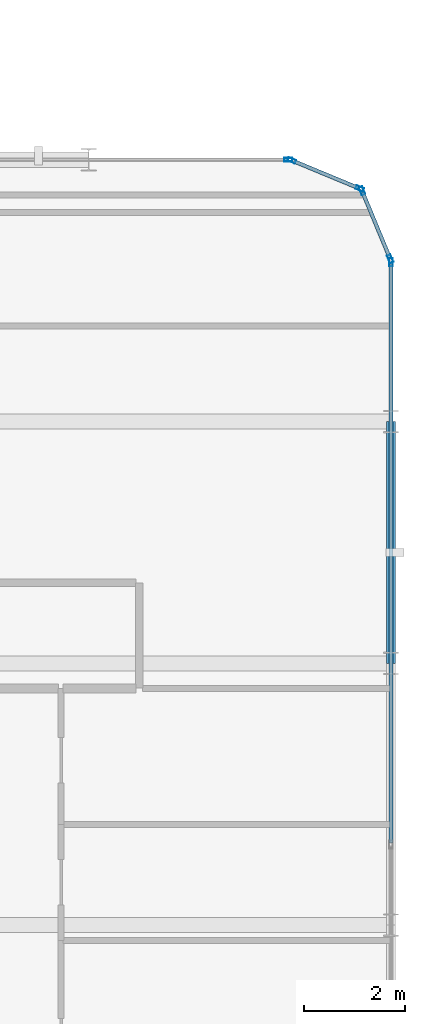
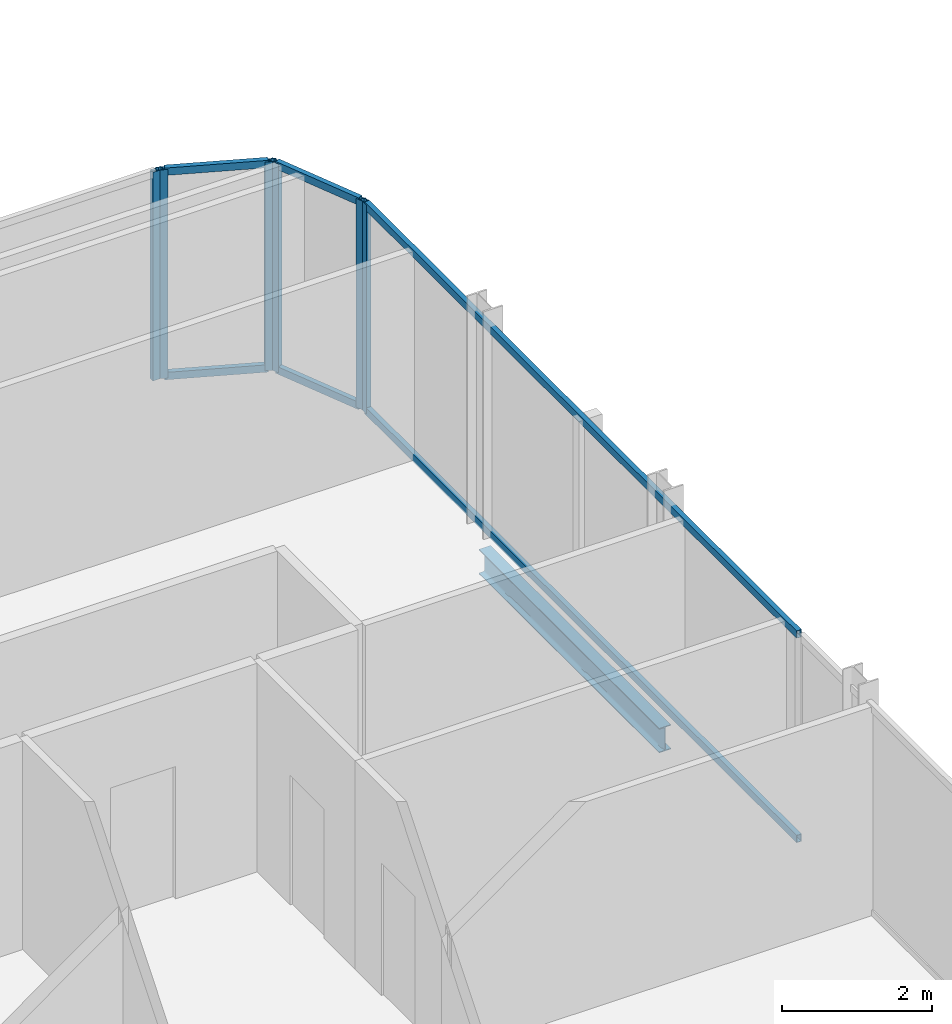
# One storey, part 15 of 29: 12 members, 1 beam, 4 elements without a shape of their own.
"""IFC4 building model written with IfcOpenShell, lengths in metres."""

from ifc_helpers import new_model, si_unit, direction, frame, origin, origin_2d, place, context, subcontext, project, spatial, hollow_rectangle, i_section, extrude, material, layer, layer_set, material_profile, profile_set, type_object, element, aggregate, save


model = new_model("IFC4")

# Units and contexts
model_context = context("Model", 3, precision=1e-05, world=origin(), true_north=direction((0.0, 1.0)))
body_context = subcontext(model_context, "Body", "Model", "MODEL_VIEW")
ifc_project = project(units=[si_unit("LENGTHUNIT", "METRE"), si_unit("AREAUNIT", "SQUARE_METRE"), si_unit("VOLUMEUNIT", "CUBIC_METRE"), si_unit("PLANEANGLEUNIT", "RADIAN"), si_unit("MASSUNIT", "GRAM", prefix="KILO")], contexts=[model_context])

# Site, building, storey
site_placement = place(None, origin())
site = spatial("IfcSite", under=ifc_project, at=site_placement, CompositionType="ELEMENT")
building_placement = place(site_placement, origin())
building = spatial("IfcBuilding", under=site, at=building_placement, Name="Keshet Zoharim Tower", CompositionType="ELEMENT")
storey_placement = place(building_placement, frame((0.0, 0.0, 226.5)))
storey = spatial("IfcBuildingStorey", under=building, at=storey_placement, Name="L56", CompositionType="ELEMENT", Elevation=226.5)

# Beam
ifc_material_1 = material(Name="Steel S355", Category="steel")
ifc_material_profile_1 = material_profile(ifc_material_1, i_section(OverallWidth=0.179931640625, OverallDepth=0.39990234375, WebThickness=0.008544921875, FlangeThickness=0.013427734375, FilletRadius=0.02099609375, at=origin_2d()), Name="IPE400")
ifc_profile_set_1 = profile_set([ifc_material_profile_1], Name="Steel S355")
beam_type = type_object("IfcBeamType", Name="BM-PRI-IP400", PredefinedType="BEAM", material=ifc_profile_set_1)
beam_placement = place(storey_placement, frame((57.0, 17.89990234375, -0.510009765625), z_axis=(0.0, 1.0, 0.0), x_axis=(-1.0, 0.0, 0.0)))
element("IfcBeam", 1, at=beam_placement, inside=storey, type_object=beam_type, Name="L56 Primary Girder Y-015", PredefinedType="BEAM", context=body_context, shape_type="SweptSolid", body=[
    extrude(i_section(OverallWidth=0.179931640625, OverallDepth=0.39990234375, WebThickness=0.008544921875, FlangeThickness=0.013427734375, FilletRadius=0.02099609375, at=origin_2d()), origin(), (0.0, 0.0, 1.0), 4.800048828125),
])

# Curtain wall, members
ifc_material_2 = material(Name="Aluminium 6063-T6", Category="aluminium")
ifc_layer = layer(ifc_material_2, 0.139892578125)
ifc_layer_set = layer_set([ifc_layer], Name="Aluminium 6063-T6")
curtain_wall_type = type_object("IfcCurtainWallType", Name="CW-SYS-05", PredefinedType="NOTDEFINED", material=ifc_layer_set)
curtain_wall_1_placement = place(storey_placement, origin())
curtain_wall_1 = element("IfcCurtainWall", 2, at=curtain_wall_1_placement, inside=storey, type_object=curtain_wall_type, Name="L56 Unitised Curtain Wall 01", PredefinedType="NOTDEFINED")
ifc_material_profile_2 = material_profile(ifc_material_2, hollow_rectangle(XDim=0.074951171875, YDim=0.159912109375, WallThickness=0.00390625, at=origin_2d()), Name="MUL-75x160")
ifc_profile_set_2 = profile_set([ifc_material_profile_2], Name="Aluminium 6063-T6")
member_type_1 = type_object("IfcMemberType", Name="CWM-M15", PredefinedType="MULLION", material=ifc_profile_set_2)
member_1_placement = place(storey_placement, frame((55.0322265625, 27.88671875, 0.0), z_axis=(0.0, 0.0, 1.0), x_axis=(0.382851849847, 0.92380975372, 0.0)))
member_1 = element("IfcMember", 3, at=member_1_placement, type_object=member_type_1, Name="CW-05 mullion 1", PredefinedType="MULLION", context=body_context, shape_type="SweptSolid", body=[
    extrude(hollow_rectangle(XDim=0.074951171875, YDim=0.159912109375, WallThickness=0.00390625, at=origin_2d()), origin(), (0.0, 0.0, 1.0), 3.389892578125),
])
member_2_placement = place(storey_placement, frame((56.381591796875, 27.327392578125, 0.0), z_axis=(0.0, 0.0, 1.0), x_axis=(0.382851849847, 0.92380975372, 0.0)))
member_2 = element("IfcMember", 4, at=member_2_placement, type_object=member_type_1, Name="CW-05 mullion 2", PredefinedType="MULLION", context=body_context, shape_type="SweptSolid", body=[
    extrude(hollow_rectangle(XDim=0.074951171875, YDim=0.159912109375, WallThickness=0.00390625, at=origin_2d()), origin(), (0.0, 0.0, 1.0), 3.389892578125),
])

curtain_wall_2_placement = place(storey_placement, origin())
curtain_wall_2 = element("IfcCurtainWall", 5, at=curtain_wall_2_placement, inside=storey, type_object=curtain_wall_type, Name="L56 Unitised Curtain Wall 02", PredefinedType="NOTDEFINED")
member_3_placement = place(storey_placement, frame((56.427490234375, 27.28173828125, 0.0), z_axis=(0.0, 0.0, 1.0), x_axis=(0.92380975372, 0.382851849847, 0.0)))
member_3 = element("IfcMember", 6, at=member_3_placement, type_object=member_type_1, Name="CW-05 mullion 1", PredefinedType="MULLION", context=body_context, shape_type="SweptSolid", body=[
    extrude(hollow_rectangle(XDim=0.074951171875, YDim=0.159912109375, WallThickness=0.00390625, at=origin_2d()), origin(), (0.0, 0.0, 1.0), 3.389892578125),
])
member_4_placement = place(storey_placement, frame((56.986572265625, 25.932373046875, 0.0), z_axis=(0.0, 0.0, 1.0), x_axis=(0.92380975372, 0.382851849847, 0.0)))
member_4 = element("IfcMember", 7, at=member_4_placement, type_object=member_type_1, Name="CW-05 mullion 2", PredefinedType="MULLION", context=body_context, shape_type="SweptSolid", body=[
    extrude(hollow_rectangle(XDim=0.074951171875, YDim=0.159912109375, WallThickness=0.00390625, at=origin_2d()), origin(), (0.0, 0.0, 1.0), 3.389892578125),
])

# Curtain wall, member
curtain_wall_3_placement = place(storey_placement, origin())
curtain_wall_3 = element("IfcCurtainWall", 8, at=curtain_wall_3_placement, inside=storey, type_object=curtain_wall_type, Name="L56 Unitised Curtain Wall 03", PredefinedType="NOTDEFINED")
member_5_placement = place(storey_placement, frame((57.0, 25.864990234375, 0.0), z_axis=(0.0, 0.0, 1.0), x_axis=(1.0, 0.0, 0.0)))
member_5 = element("IfcMember", 9, at=member_5_placement, type_object=member_type_1, Name="CW-05 mullion 1", PredefinedType="MULLION", context=body_context, shape_type="SweptSolid", body=[
    extrude(hollow_rectangle(XDim=0.074951171875, YDim=0.159912109375, WallThickness=0.00390625, at=origin_2d()), origin(), (0.0, 0.0, 1.0), 3.389892578125),
])

curtain_wall_4_placement = place(storey_placement, origin())
curtain_wall_4 = element("IfcCurtainWall", 10, at=curtain_wall_4_placement, inside=storey, type_object=curtain_wall_type, Name="L56 Unitised Curtain Wall 20 Part 2", PredefinedType="NOTDEFINED")
member_6_placement = place(storey_placement, frame((54.965087890625, 27.89990234375, 0.0), z_axis=(0.0, 0.0, 1.0), x_axis=(0.0, 1.0, 0.0)))
member_6 = element("IfcMember", 11, at=member_6_placement, type_object=member_type_1, Name="CW-05 mullion 2", PredefinedType="MULLION", context=body_context, shape_type="SweptSolid", body=[
    extrude(hollow_rectangle(XDim=0.074951171875, YDim=0.159912109375, WallThickness=0.00390625, at=origin_2d()), origin(), (0.0, 0.0, 1.0), 3.389892578125),
])
aggregate(curtain_wall_4, [member_6])

# Member
ifc_material_profile_3 = material_profile(ifc_material_2, hollow_rectangle(XDim=0.074951171875, YDim=0.1201171875, WallThickness=0.00390625, at=origin_2d()), Name="TRN-75x120")
ifc_profile_set_3 = profile_set([ifc_material_profile_3], Name="Aluminium 6063-T6")
member_type_2 = type_object("IfcMemberType", Name="CWT-T12", PredefinedType="USERDEFINED", material=ifc_profile_set_3)
member_7_placement = place(storey_placement, frame((55.064697265625, 27.873291015625, 0.034912109375), z_axis=(0.92379209995, -0.382894445076, 0.0), x_axis=(0.382894445076, 0.92379209995, 0.0)))
member_7 = element("IfcMember", 12, at=member_7_placement, type_object=member_type_2, Name="CW-05 transom 1.1", ObjectType="TRANSOM", PredefinedType="USERDEFINED", context=body_context, shape_type="SweptSolid", body=[
    extrude(hollow_rectangle(XDim=0.074951171875, YDim=0.1201171875, WallThickness=0.00390625, at=origin_2d()), origin(), (0.0, 0.0, 1.0), 1.390625),
])

member_8_placement = place(storey_placement, frame((55.064697265625, 27.873291015625, 3.35498046875), z_axis=(0.92379209995, -0.382894445076, 0.0), x_axis=(0.382894445076, 0.92379209995, 0.0)))
member_8 = element("IfcMember", 13, at=member_8_placement, type_object=member_type_2, Name="CW-05 transom 1.2", ObjectType="TRANSOM", PredefinedType="USERDEFINED", context=body_context, shape_type="SweptSolid", body=[
    extrude(hollow_rectangle(XDim=0.074951171875, YDim=0.1201171875, WallThickness=0.00390625, at=origin_2d()), origin(), (0.0, 0.0, 1.0), 1.390625),
])

aggregate(curtain_wall_1, [member_1, member_2, member_7, member_8])

member_9_placement = place(storey_placement, frame((56.44091796875, 27.249267578125, 0.034912109375), z_axis=(0.382744609247, -0.923854189844, 0.0), x_axis=(0.923854189844, 0.382744609247, 0.0)))
member_9 = element("IfcMember", 14, at=member_9_placement, type_object=member_type_2, Name="CW-05 transom 1.1", ObjectType="TRANSOM", PredefinedType="USERDEFINED", context=body_context, shape_type="SweptSolid", body=[
    extrude(hollow_rectangle(XDim=0.074951171875, YDim=0.1201171875, WallThickness=0.00390625, at=origin_2d()), origin(), (0.0, 0.0, 1.0), 1.390625),
])

member_10_placement = place(storey_placement, frame((56.44091796875, 27.249267578125, 3.35498046875), z_axis=(0.382744609247, -0.923854189844, 0.0), x_axis=(0.923854189844, 0.382744609247, 0.0)))
member_10 = element("IfcMember", 15, at=member_10_placement, type_object=member_type_2, Name="CW-05 transom 1.2", ObjectType="TRANSOM", PredefinedType="USERDEFINED", context=body_context, shape_type="SweptSolid", body=[
    extrude(hollow_rectangle(XDim=0.074951171875, YDim=0.1201171875, WallThickness=0.00390625, at=origin_2d()), origin(), (0.0, 0.0, 1.0), 1.390625),
])

aggregate(curtain_wall_2, [member_3, member_4, member_9, member_10])

member_11_placement = place(storey_placement, frame((57.0, 25.830078125, 0.034912109375), z_axis=(0.0, -1.0, 0.0), x_axis=(1.0, 0.0, 0.0)))
member_11 = element("IfcMember", 16, at=member_11_placement, type_object=member_type_2, Name="CW-05 transom 1.1", ObjectType="TRANSOM", PredefinedType="USERDEFINED", context=body_context, shape_type="SweptSolid", body=[
    extrude(hollow_rectangle(XDim=0.074951171875, YDim=0.1201171875, WallThickness=0.00390625, at=origin_2d()), origin(), (0.0, 0.0, 1.0), 11.4951171875),
])

member_12_placement = place(storey_placement, frame((57.0, 25.830078125, 3.35498046875), z_axis=(0.0, -1.0, 0.0), x_axis=(1.0, 0.0, 0.0)))
member_12 = element("IfcMember", 17, at=member_12_placement, type_object=member_type_2, Name="CW-05 transom 1.2", ObjectType="TRANSOM", PredefinedType="USERDEFINED", context=body_context, shape_type="SweptSolid", body=[
    extrude(hollow_rectangle(XDim=0.074951171875, YDim=0.1201171875, WallThickness=0.00390625, at=origin_2d()), origin(), (0.0, 0.0, 1.0), 11.4951171875),
])

aggregate(curtain_wall_3, [member_5, member_11, member_12])

save(model, "model.ifc")
